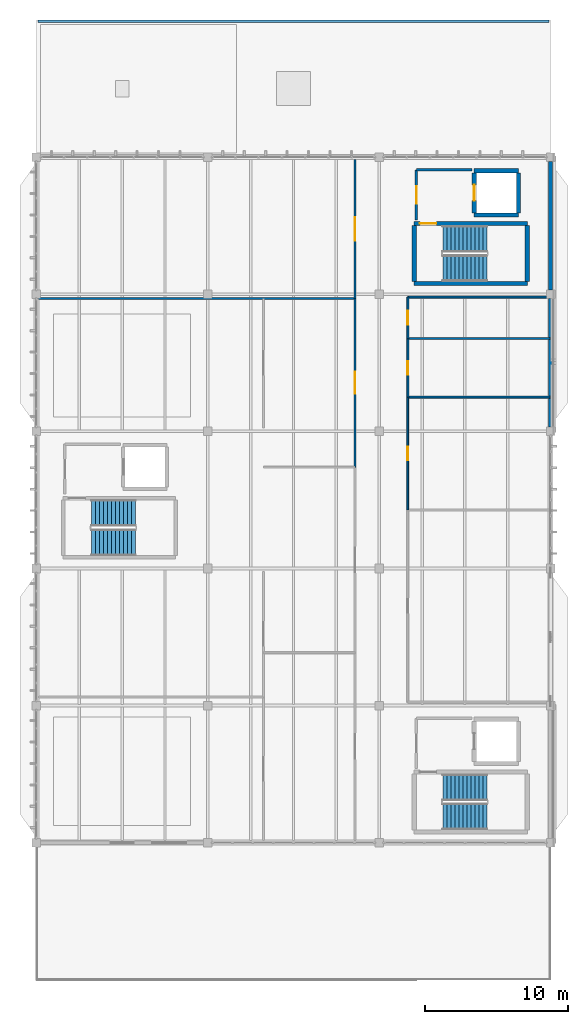
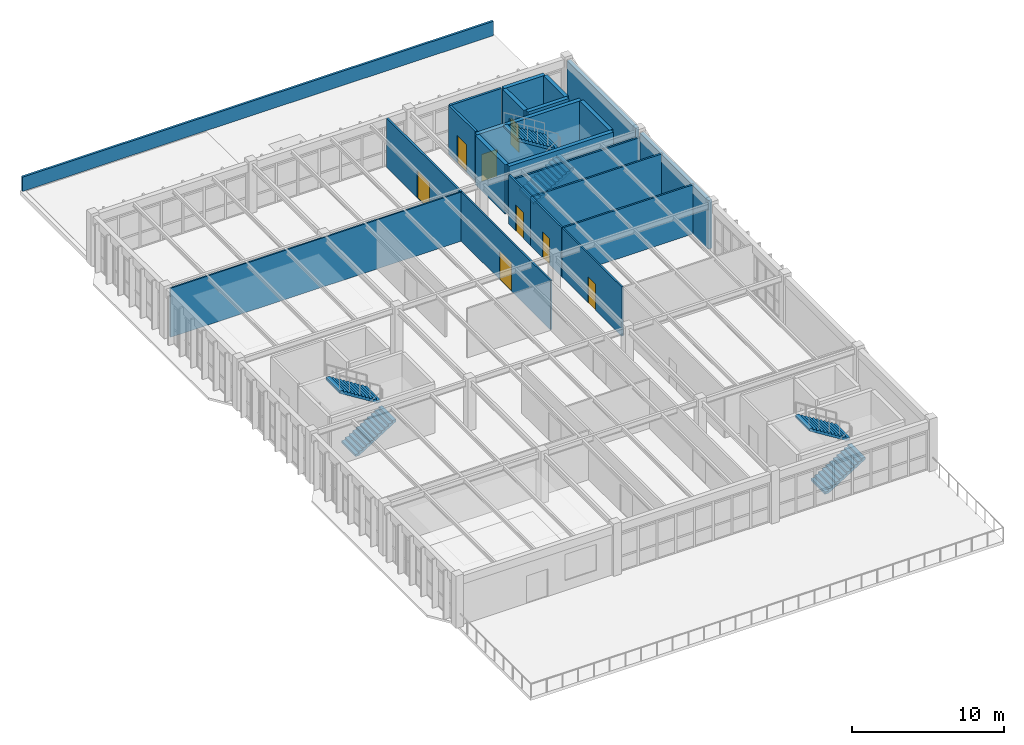
# One storey, part 33 of 37: 22 walls, 8 doors, 6 stair flights, 8 openings, 3 elements without a shape of their own.
"""IFC4 building model written with IfcOpenShell, lengths in metres."""

from ifc_helpers import new_model, si_unit, direction, frame, frame_2d, origin, place, context, subcontext, project, spatial, polyline, rectangle, outline, extrude, material, layer, layer_set, type_object, element, fill, aggregate, save


model = new_model("IFC4")

# Units and contexts
model_context = context("Model", 3, precision=1e-05, world=origin(), true_north=direction((0.0, 1.0)))
body_context = subcontext(model_context, "Body", "Model", "MODEL_VIEW")
ifc_project = project(units=[si_unit("LENGTHUNIT", "METRE"), si_unit("AREAUNIT", "SQUARE_METRE"), si_unit("VOLUMEUNIT", "CUBIC_METRE"), si_unit("PLANEANGLEUNIT", "RADIAN"), si_unit("MASSUNIT", "GRAM", prefix="KILO")], contexts=[model_context])

# Site, building, storey
site_placement = place(None, origin())
site = spatial("IfcSite", under=ifc_project, at=site_placement, CompositionType="ELEMENT")
building_placement = place(site_placement, origin())
building = spatial("IfcBuilding", under=site, at=building_placement, Name="Pandanus Reach Market Hall", CompositionType="ELEMENT")
storey_placement = place(building_placement, frame((0.0, 0.0, 14.39990234375)))
storey = spatial("IfcBuildingStorey", under=building, at=storey_placement, Name="L03", CompositionType="ELEMENT", Elevation=14.39990234375)

# Wall
ifc_material_1 = material(Name="Concrete N40 (40 MPa)", Category="concrete")
ifc_layer_1 = layer(ifc_material_1, 0.300048828125, Name="WL-CORE-300")
ifc_layer_set_1 = layer_set([ifc_layer_1], Name="Concrete N40 (40 MPa)")
wall_type_1 = type_object("IfcWallType", Name="WL-CORE-300", PredefinedType="SHEAR", material=ifc_layer_set_1)
wall_1_placement = place(storey_placement, frame((170.449951171875, 67.949951171875, 0.0), z_axis=(0.0, 0.0, 1.0), x_axis=(1.0, 0.0, 0.0)))
element("IfcWall", 1, at=wall_1_placement, inside=storey, type_object=wall_type_1, Name="Internal wall WL-CORE-300 WL-0250", PredefinedType="SHEAR", context=body_context, shape_type="SweptSolid", body=[
    extrude(rectangle(XDim=7.920166015625, YDim=0.300048828125, at=frame_2d((3.9599609375, 0.0))), origin(), (0.0, 0.0, 1.0), 3.9501953125),
])

# Wall, opening, door
wall_2_placement = place(storey_placement, frame((170.449951171875, 72.14990234375, 0.0), z_axis=(0.0, 0.0, 1.0), x_axis=(1.0, 0.0, 0.0)))
wall_2 = element("IfcWall", 2, at=wall_2_placement, inside=storey, type_object=wall_type_1, Name="Internal wall WL-CORE-300 WL-0251", PredefinedType="SHEAR", context=body_context, shape_type="SweptSolid", body=[
    extrude(rectangle(XDim=7.920166015625, YDim=0.300048828125, at=frame_2d((3.9599609375, 0.0))), origin(), (0.0, 0.0, 1.0), 3.9501953125),
])
opening_1_placement = place(wall_2_placement, frame((0.39990234375, 0.0, 0.0)))
opening_1 = element("IfcOpeningElement", 3, at=opening_1_placement, cuts=wall_2, Name="Opening DR-FD1", PredefinedType="OPENING", context=body_context, shape_type="SweptSolid", body=[
    extrude(rectangle(XDim=1.14990234375, YDim=2.14990234375, at=frame_2d((0.574951171875, 1.074951171875))), frame((0.0, 0.1650390625, 0.0), z_axis=(0.0, -1.0, 0.0), x_axis=(1.0, 0.0, 0.0)), (0.0, 0.0, 1.0), 0.330078125),
])
ifc_material_2 = material(Name="Fire-rated steel door", Category="steel")
door_type_1 = type_object("IfcDoorType", Name="DR-FD1", OperationType="NOTDEFINED", PredefinedType="DOOR", material=ifc_material_2)
door_1_placement = place(opening_1_placement, frame((1.14990234375, 0.0, 0.0), z_axis=(0.0, 0.0, 1.0), x_axis=(-1.0, 0.0, 0.0)))
door_1 = element("IfcDoor", 4, at=door_1_placement, inside=storey, type_object=door_type_1, Name="Fire stair door ST-02 L03", OperationType="SINGLE_SWING_RIGHT", OverallHeight=2.14990234375, OverallWidth=1.14990234375, PredefinedType="DOOR", context=body_context, shape_type="SweptSolid", body=[
    extrude(rectangle(XDim=1.14990234375, YDim=2.14990234375, at=frame_2d((0.574951171875, 1.074951171875))), frame((0.0, 0.02490234375, 0.0), z_axis=(0.0, -1.0, 0.0), x_axis=(1.0, 0.0, 0.0)), (0.0, 0.0, 1.0), 0.050048828125),
])
fill(opening_1, door_1)

# Walls
for number, where, z_axis, x_axis, name in (
    (5, (170.449951171875, 68.10009765625, 0.0), (0.0, 0.0, 1.0), (0.0, 1.0, 0.0), "Internal wall WL-CORE-300 WL-0252"),
    (6, (178.3701171875, 68.10009765625, 0.0), (0.0, 0.0, 1.0), (0.0, 1.0, 0.0), "Internal wall WL-CORE-300 WL-0253"),
):
    element("IfcWall", number, at=place(storey_placement, frame(where, z_axis=z_axis, x_axis=x_axis)), inside=storey, type_object=wall_type_1, Name=name, PredefinedType="SHEAR", context=body_context, shape_type="SweptSolid", body=[
        extrude(rectangle(XDim=3.89990234375, YDim=0.300048828125, at=frame_2d((1.949951171875, 0.0))), origin(), (0.0, 0.0, 1.0), 3.9501953125),
    ])
for number, where, z_axis, x_axis, name in (
    (7, (174.64990234375, 72.75, 0.0), (0.0, 0.0, 1.0), (1.0, 0.0, 0.0), "Internal wall WL-CORE-300 WL-0254"),
    (8, (174.64990234375, 75.85009765625, 0.0), (0.0, 0.0, 1.0), (1.0, 0.0, 0.0), "Internal wall WL-CORE-300 WL-0255"),
):
    element("IfcWall", number, at=place(storey_placement, frame(where, z_axis=z_axis, x_axis=x_axis)), inside=storey, type_object=wall_type_1, Name=name, PredefinedType="SHEAR", context=body_context, shape_type="SweptSolid", body=[
        extrude(rectangle(XDim=3.10009765625, YDim=0.300048828125, at=frame_2d((1.550048828125, 0.0))), origin(), (0.0, 0.0, 1.0), 3.9501953125),
    ])
wall_3_placement = place(storey_placement, frame((177.75, 72.89990234375, 0.0), z_axis=(0.0, 0.0, 1.0), x_axis=(0.0, 1.0, 0.0)))
element("IfcWall", 9, at=wall_3_placement, inside=storey, type_object=wall_type_1, Name="Internal wall WL-CORE-300 WL-0256", PredefinedType="SHEAR", context=body_context, shape_type="SweptSolid", body=[
    extrude(rectangle(XDim=2.800048828125, YDim=0.300048828125, at=frame_2d((1.39990234375, 0.0))), origin(), (0.0, 0.0, 1.0), 3.9501953125),
])

# Wall, opening, door
wall_4_placement = place(storey_placement, frame((174.64990234375, 72.89990234375, 0.0), z_axis=(0.0, 0.0, 1.0), x_axis=(0.0, 1.0, 0.0)))
wall_4 = element("IfcWall", 10, at=wall_4_placement, inside=storey, type_object=wall_type_1, Name="Internal wall WL-CORE-300 WL-0257", PredefinedType="SHEAR", context=body_context, shape_type="SweptSolid", body=[
    extrude(rectangle(XDim=2.800048828125, YDim=0.300048828125, at=frame_2d((1.39990234375, 0.0))), origin(), (0.0, 0.0, 1.0), 3.9501953125),
])
opening_2_placement = place(wall_4_placement, frame((0.85009765625, 0.0, 0.0)))
opening_2 = element("IfcOpeningElement", 11, at=opening_2_placement, cuts=wall_4, Name="Opening LD-01", PredefinedType="OPENING", context=body_context, shape_type="SweptSolid", body=[
    extrude(rectangle(XDim=1.10009765625, YDim=2.14990234375, at=frame_2d((0.550048828125, 1.074951171875))), frame((0.0, 0.1650390625, 0.0), z_axis=(0.0, -1.0, 0.0), x_axis=(1.0, 0.0, 0.0)), (0.0, 0.0, 1.0), 0.330078125),
])
ifc_material_3 = material(Name="Stainless steel lift landing door", Category="steel")
door_type_2 = type_object("IfcDoorType", Name="LD-01", OperationType="SLIDING_TO_LEFT", PredefinedType="DOOR", material=ifc_material_3)
door_2_placement = place(opening_2_placement, origin())
door_2 = element("IfcDoor", 12, at=door_2_placement, inside=storey, type_object=door_type_2, Name="Lift landing door LF-02 LD-01 33", OperationType="SLIDING_TO_LEFT", OverallHeight=2.14990234375, OverallWidth=1.10009765625, PredefinedType="DOOR", context=body_context, shape_type="SweptSolid", body=[
    extrude(rectangle(XDim=1.10009765625, YDim=2.14990234375, at=frame_2d((0.550048828125, 1.074951171875))), frame((0.0, 0.02490234375, 0.0), z_axis=(0.0, -1.0, 0.0), x_axis=(1.0, 0.0, 0.0)), (0.0, 0.0, 1.0), 0.050048828125),
])
fill(opening_2, door_2)

# Walls
ifc_material_4 = material(Name="Precast concrete S50 (50 MPa)", Category="concrete")
ifc_layer_2 = layer(ifc_material_4, 0.280029296875, Name="WL-EXT-280")
ifc_layer_set_2 = layer_set([ifc_layer_2], Name="Precast concrete S50 (50 MPa)")
wall_type_2 = type_object("IfcWallType", Name="WL-EXT-280", PredefinedType="SOLIDWALL", material=ifc_layer_set_2)
for number, where, z_axis, x_axis, name in (
    (13, (180.0, 57.89990234375, 0.0), (0.0, 0.0, 1.0), (0.0, 1.0, 0.0), "External wall WL-EXT-280 WL-0107"),
    (14, (180.0, 67.5, 0.0), (0.0, 0.0, 1.0), (0.0, 1.0, 0.0), "External wall WL-EXT-280 WL-0108"),
):
    element("IfcWall", number, at=place(storey_placement, frame(where, z_axis=z_axis, x_axis=x_axis)), inside=storey, type_object=wall_type_2, Name=name, PredefinedType="SOLIDWALL", context=body_context, shape_type="SweptSolid", body=[
        extrude(rectangle(XDim=9.0, YDim=0.280029296875, at=frame_2d((4.5, 0.0))), origin(), (0.0, 0.0, 1.0), 3.900146484375),
    ])

# Wall, opening, door
ifc_layer_3 = layer(ifc_material_1, 0.175048828125, Name="WL-LOB-175")
ifc_layer_set_3 = layer_set([ifc_layer_3], Name="Concrete N40 (40 MPa)")
wall_type_3 = type_object("IfcWallType", Name="WL-LOB-175", PredefinedType="PARTITIONING", material=ifc_layer_set_3)
wall_5_placement = place(storey_placement, frame((170.60009765625, 72.39990234375, 0.0), z_axis=(0.0, 0.0, 1.0), x_axis=(0.0, 1.0, 0.0)))
wall_5 = element("IfcWall", 15, at=wall_5_placement, inside=storey, type_object=wall_type_3, Name="Internal wall WL-LOB-175 WL-0258", PredefinedType="PARTITIONING", context=body_context, shape_type="SweptSolid", body=[
    extrude(rectangle(XDim=3.5, YDim=0.175048828125, at=frame_2d((1.75, 0.0))), origin(), (0.0, 0.0, 1.0), 3.9501953125),
])
opening_3_placement = place(wall_5_placement, frame((1.125, 0.0, 0.0)))
opening_3 = element("IfcOpeningElement", 16, at=opening_3_placement, cuts=wall_5, Name="Opening DR-FD2", PredefinedType="OPENING", context=body_context, shape_type="SweptSolid", body=[
    extrude(rectangle(XDim=1.25, YDim=2.199951171875, at=frame_2d((0.625, 1.10009765625))), frame((0.0, 0.1025390625, 0.0), z_axis=(0.0, -1.0, 0.0), x_axis=(1.0, 0.0, 0.0)), (0.0, 0.0, 1.0), 0.205078125),
])
door_type_3 = type_object("IfcDoorType", Name="DR-FD2", OperationType="NOTDEFINED", PredefinedType="DOOR", material=ifc_material_2)
door_3_placement = place(opening_3_placement, frame((1.25, 0.0, 0.0), z_axis=(0.0, 0.0, 1.0), x_axis=(-1.0, 0.0, 0.0)))
door_3 = element("IfcDoor", 17, at=door_3_placement, inside=storey, type_object=door_type_3, Name="Core C2 lobby fire door DR-FD2 34", OperationType="SINGLE_SWING_LEFT", OverallHeight=2.199951171875, OverallWidth=1.25, PredefinedType="DOOR", context=body_context, shape_type="SweptSolid", body=[
    extrude(rectangle(XDim=1.25, YDim=2.199951171875, at=frame_2d((0.625, 1.10009765625))), frame((0.0, 0.02490234375, 0.0), z_axis=(0.0, -1.0, 0.0), x_axis=(1.0, 0.0, 0.0)), (0.0, 0.0, 1.0), 0.050048828125),
])
fill(opening_3, door_3)

# Walls
wall_6_placement = place(storey_placement, frame((170.60009765625, 75.89990234375, 0.0), z_axis=(0.0, 0.0, 1.0), x_axis=(1.0, 0.0, 0.0)))
element("IfcWall", 18, at=wall_6_placement, inside=storey, type_object=wall_type_3, Name="Internal wall WL-LOB-175 WL-0259", PredefinedType="PARTITIONING", context=body_context, shape_type="SweptSolid", body=[
    extrude(rectangle(XDim=3.89990234375, YDim=0.175048828125, at=frame_2d((1.949951171875, 0.0))), origin(), (0.0, 0.0, 1.0), 3.9501953125),
])
ifc_material_5 = material(Name="Acoustic operable timber-clad partition", Category="wood")
ifc_layer_4 = layer(ifc_material_5, 0.110107421875, Name="WL-MOV-110")
ifc_layer_set_4 = layer_set([ifc_layer_4], Name="Acoustic operable timber-clad partition")
wall_type_4 = type_object("IfcWallType", Name="WL-MOV-110", PredefinedType="MOVABLE", material=ifc_layer_set_4)
wall_7_placement = place(storey_placement, frame((144.14990234375, 66.89990234375, 0.0), z_axis=(0.0, 0.0, 1.0), x_axis=(1.0, 0.0, 0.0)))
element("IfcWall", 19, at=wall_7_placement, inside=storey, type_object=wall_type_4, Name="Internal wall WL-MOV-110 WL-0565", PredefinedType="MOVABLE", context=body_context, shape_type="SweptSolid", body=[
    extrude(rectangle(XDim=22.150146484375, YDim=0.110107421875, at=frame_2d((11.0751953125, 0.0))), origin(), (0.0, 0.0, 1.0), 3.9501953125),
])
ifc_layer_5 = layer(ifc_material_4, 0.1650390625, Name="WL-PAR-165")
ifc_layer_set_5 = layer_set([ifc_layer_5], Name="Precast concrete S50 (50 MPa)")
wall_type_5 = type_object("IfcWallType", Name="WL-PAR-165", PredefinedType="PARAPET", material=ifc_layer_set_5)
wall_8_placement = place(storey_placement, frame((144.10009765625, 86.300048828125, 0.0), z_axis=(0.0, 0.0, 1.0), x_axis=(1.0, 0.0, 0.0)))
element("IfcWall", 20, at=wall_8_placement, inside=storey, type_object=wall_type_5, Name="Roof parapet WL-PAR-165 L03.8", PredefinedType="PARAPET", context=body_context, shape_type="SweptSolid", body=[
    extrude(rectangle(XDim=35.7998046875, YDim=0.1650390625, at=frame_2d((17.89990234375, 0.0))), origin(), (0.0, 0.0, 1.0), 1.150146484375),
])

# Wall, opening, door
ifc_material_6 = material(Name="Lightweight plasterboard stud partition", Category="gypsum")
ifc_layer_6 = layer(ifc_material_6, 0.1201171875, Name="WL-PRT-120")
ifc_layer_set_6 = layer_set([ifc_layer_6], Name="Lightweight plasterboard stud partition")
wall_type_6 = type_object("IfcWallType", Name="WL-PRT-120", PredefinedType="PARTITIONING", material=ifc_layer_set_6)
wall_9_placement = place(storey_placement, frame((166.300048828125, 55.10009765625, 0.0), z_axis=(0.0, 0.0, 1.0), x_axis=(0.0, 1.0, 0.0)))
wall_9 = element("IfcWall", 21, at=wall_9_placement, inside=storey, type_object=wall_type_6, Name="Internal wall WL-PRT-120 WL-0571", PredefinedType="PARTITIONING", context=body_context, shape_type="SweptSolid", body=[
    extrude(rectangle(XDim=11.7998046875, YDim=0.1201171875, at=frame_2d((5.89990234375, 0.0))), origin(), (0.0, 0.0, 1.0), 3.9501953125),
])
opening_4_placement = place(wall_9_placement, frame((5.139892578125, 0.0, 0.0)))
opening_4 = element("IfcOpeningElement", 22, at=opening_4_placement, cuts=wall_9, Name="Opening DR-I15", PredefinedType="OPENING", context=body_context, shape_type="SweptSolid", body=[
    extrude(rectangle(XDim=1.52001953125, YDim=2.280029296875, at=frame_2d((0.760009765625, 1.14013671875))), frame((0.0, 0.074951171875, 0.0), z_axis=(0.0, -1.0, 0.0), x_axis=(1.0, 0.0, 0.0)), (0.0, 0.0, 1.0), 0.150146484375),
])
ifc_material_7 = material(Name="Culinary and seed library glazed door")
door_type_4 = type_object("IfcDoorType", Name="DR-I15", OperationType="NOTDEFINED", PredefinedType="DOOR", material=ifc_material_7)
door_4_placement = place(opening_4_placement, origin())
door_4 = element("IfcDoor", 23, at=door_4_placement, inside=storey, type_object=door_type_4, Name="Food heritage library door DR-I15 168", OperationType="SINGLE_SWING_LEFT", OverallHeight=2.280029296875, OverallWidth=1.52001953125, PredefinedType="DOOR", context=body_context, shape_type="SweptSolid", body=[
    extrude(rectangle(XDim=1.52001953125, YDim=2.280029296875, at=frame_2d((0.760009765625, 1.14013671875))), frame((0.0, 0.02490234375, 0.0), z_axis=(0.0, -1.0, 0.0), x_axis=(1.0, 0.0, 0.0)), (0.0, 0.0, 1.0), 0.050048828125),
])
fill(opening_4, door_4)

wall_10_placement = place(storey_placement, frame((170.0, 52.10009765625, 0.0), z_axis=(0.0, 0.0, 1.0), x_axis=(0.0, 1.0, 0.0)))
wall_10 = element("IfcWall", 24, at=wall_10_placement, inside=storey, type_object=wall_type_6, Name="Internal wall WL-PRT-120 WL-0575", PredefinedType="PARTITIONING", context=body_context, shape_type="SweptSolid", body=[
    extrude(rectangle(XDim=7.89990234375, YDim=0.1201171875, at=frame_2d((3.949951171875, 0.0))), origin(), (0.0, 0.0, 1.0), 3.9501953125),
])
opening_5_placement = place(wall_10_placement, frame((3.47509765625, 0.0, 0.0)))
opening_5 = element("IfcOpeningElement", 25, at=opening_5_placement, cuts=wall_10, Name="Opening DR-I09", PredefinedType="OPENING", context=body_context, shape_type="SweptSolid", body=[
    extrude(rectangle(XDim=0.949951171875, YDim=2.10009765625, at=frame_2d((0.47509765625, 1.050048828125))), frame((0.0, 0.074951171875, 0.0), z_axis=(0.0, -1.0, 0.0), x_axis=(1.0, 0.0, 0.0)), (0.0, 0.0, 1.0), 0.150146484375),
])
ifc_material_8 = material(Name="Solid-core hardwood timber door", Category="wood")
door_type_5 = type_object("IfcDoorType", Name="DR-I09", OperationType="NOTDEFINED", PredefinedType="DOOR", material=ifc_material_8)
door_5_placement = place(opening_5_placement, origin())
door_5 = element("IfcDoor", 26, at=door_5_placement, inside=storey, type_object=door_type_5, Name="Food safety office door DR-I09 170", OperationType="SINGLE_SWING_LEFT", OverallHeight=2.10009765625, OverallWidth=0.949951171875, PredefinedType="DOOR", context=body_context, shape_type="SweptSolid", body=[
    extrude(rectangle(XDim=0.949951171875, YDim=2.10009765625, at=frame_2d((0.47509765625, 1.050048828125))), frame((0.0, 0.02490234375, 0.0), z_axis=(0.0, -1.0, 0.0), x_axis=(1.0, 0.0, 0.0)), (0.0, 0.0, 1.0), 0.050048828125),
])
fill(opening_5, door_5)

# Walls
ifc_material_9 = material(Name="Moisture-resistant plasterboard partition", Category="gypsum")
ifc_layer_7 = layer(ifc_material_9, 0.135009765625, Name="WL-PRT-135")
ifc_layer_set_7 = layer_set([ifc_layer_7], Name="Moisture-resistant plasterboard partition")
wall_type_7 = type_object("IfcWallType", Name="WL-PRT-135", PredefinedType="PARTITIONING", material=ifc_layer_set_7)
for number, where, z_axis, x_axis, name in (
    (27, (170.0, 60.0, 0.0), (0.0, 0.0, 1.0), (1.0, 0.0, 0.0), "Internal wall WL-PRT-135 WL-0576"),
    (28, (170.0, 64.10009765625, 0.0), (0.0, 0.0, 1.0), (1.0, 0.0, 0.0), "Internal wall WL-PRT-135 WL-0577"),
):
    element("IfcWall", number, at=place(storey_placement, frame(where, z_axis=z_axis, x_axis=x_axis)), inside=storey, type_object=wall_type_7, Name=name, PredefinedType="PARTITIONING", context=body_context, shape_type="SweptSolid", body=[
        extrude(rectangle(XDim=9.9599609375, YDim=0.135009765625, at=frame_2d((4.97998046875, 0.0))), origin(), (0.0, 0.0, 1.0), 3.9501953125),
    ])
wall_11_placement = place(storey_placement, frame((170.0, 67.0, 0.0), z_axis=(0.0, 0.0, 1.0), x_axis=(1.0, 0.0, 0.0)))
element("IfcWall", 29, at=wall_11_placement, inside=storey, type_object=wall_type_7, Name="Internal wall WL-PRT-135 WL-0578", PredefinedType="PARTITIONING", context=body_context, shape_type="SweptSolid", body=[
    extrude(rectangle(XDim=9.9599609375, YDim=0.135009765625, at=frame_2d((4.97998046875, 0.0))), origin(), (0.0, 0.0, 1.0), 3.497802734375),
])

# Wall, opening, door
wall_12_placement = place(storey_placement, frame((170.0, 60.0, 0.0), z_axis=(0.0, 0.0, 1.0), x_axis=(0.0, 1.0, 0.0)))
wall_12 = element("IfcWall", 30, at=wall_12_placement, inside=storey, type_object=wall_type_7, Name="Internal wall WL-PRT-135 WL-0579", PredefinedType="PARTITIONING", context=body_context, shape_type="SweptSolid", body=[
    extrude(rectangle(XDim=4.10009765625, YDim=0.135009765625, at=frame_2d((2.050048828125, 0.0))), origin(), (0.0, 0.0, 1.0), 3.9501953125),
])
opening_6_placement = place(wall_12_placement, frame((1.574951171875, 0.0, 0.0)))
opening_6 = element("IfcOpeningElement", 31, at=opening_6_placement, cuts=wall_12, Name="Opening DR-I09", PredefinedType="OPENING", context=body_context, shape_type="SweptSolid", body=[
    extrude(rectangle(XDim=0.949951171875, YDim=2.10009765625, at=frame_2d((0.47509765625, 1.050048828125))), frame((0.0, 0.08251953125, 0.0), z_axis=(0.0, -1.0, 0.0), x_axis=(1.0, 0.0, 0.0)), (0.0, 0.0, 1.0), 0.1650390625),
])
door_6_placement = place(opening_6_placement, origin())
door_6 = element("IfcDoor", 32, at=door_6_placement, inside=storey, type_object=door_type_5, Name="L03 WC door DR-I09 171", OperationType="SINGLE_SWING_RIGHT", OverallHeight=2.10009765625, OverallWidth=0.949951171875, PredefinedType="DOOR", context=body_context, shape_type="SweptSolid", body=[
    extrude(rectangle(XDim=0.949951171875, YDim=2.10009765625, at=frame_2d((0.47509765625, 1.050048828125))), frame((0.0, 0.02490234375, 0.0), z_axis=(0.0, -1.0, 0.0), x_axis=(1.0, 0.0, 0.0)), (0.0, 0.0, 1.0), 0.050048828125),
])
fill(opening_6, door_6)

wall_13_placement = place(storey_placement, frame((170.0, 64.10009765625, 0.0), z_axis=(0.0, 0.0, 1.0), x_axis=(0.0, 1.0, 0.0)))
wall_13 = element("IfcWall", 33, at=wall_13_placement, inside=storey, type_object=wall_type_7, Name="Internal wall WL-PRT-135 WL-0580", PredefinedType="PARTITIONING", context=body_context, shape_type="SweptSolid", body=[
    extrude(rectangle(XDim=2.89990234375, YDim=0.135009765625, at=frame_2d((1.449951171875, 0.0))), origin(), (0.0, 0.0, 1.0), 3.9501953125),
])
opening_7_placement = place(wall_13_placement, frame((0.949951171875, 0.0, 0.0)))
opening_7 = element("IfcOpeningElement", 34, at=opening_7_placement, cuts=wall_13, Name="Opening DR-I10", PredefinedType="OPENING", context=body_context, shape_type="SweptSolid", body=[
    extrude(rectangle(XDim=1.0, YDim=2.10009765625, at=frame_2d((0.5, 1.050048828125))), frame((0.0, 0.08251953125, 0.0), z_axis=(0.0, -1.0, 0.0), x_axis=(1.0, 0.0, 0.0)), (0.0, 0.0, 1.0), 0.1650390625),
])
ifc_material_10 = material(Name="Accessible unisex WC timber door", Category="wood")
door_type_6 = type_object("IfcDoorType", Name="DR-I10", OperationType="NOTDEFINED", PredefinedType="DOOR", material=ifc_material_10)
door_7_placement = place(opening_7_placement, origin())
door_7 = element("IfcDoor", 35, at=door_7_placement, inside=storey, type_object=door_type_6, Name="L03 accessible WC door DR-I10 172", OperationType="SINGLE_SWING_LEFT", OverallHeight=2.10009765625, OverallWidth=1.0, PredefinedType="DOOR", context=body_context, shape_type="SweptSolid", body=[
    extrude(rectangle(XDim=1.0, YDim=2.10009765625, at=frame_2d((0.5, 1.050048828125))), frame((0.0, 0.02490234375, 0.0), z_axis=(0.0, -1.0, 0.0), x_axis=(1.0, 0.0, 0.0)), (0.0, 0.0, 1.0), 0.050048828125),
])
fill(opening_7, door_7)

ifc_material_11 = material(Name="Acoustic plasterboard on steel framing", Category="steel")
ifc_layer_8 = layer(ifc_material_11, 0.14990234375, Name="WL-PRT-150")
ifc_layer_set_8 = layer_set([ifc_layer_8], Name="Acoustic plasterboard on steel framing")
wall_type_8 = type_object("IfcWallType", Name="WL-PRT-150", PredefinedType="PARTITIONING", material=ifc_layer_set_8)
wall_14_placement = place(storey_placement, frame((166.300048828125, 66.89990234375, 0.0), z_axis=(0.0, 0.0, 1.0), x_axis=(0.0, 1.0, 0.0)))
wall_14 = element("IfcWall", 36, at=wall_14_placement, inside=storey, type_object=wall_type_8, Name="Internal wall WL-PRT-150 WL-0566", PredefinedType="PARTITIONING", context=body_context, shape_type="SweptSolid", body=[
    extrude(rectangle(XDim=9.75, YDim=0.14990234375, at=frame_2d((4.875, 0.0))), origin(), (0.0, 0.0, 1.0), 3.9501953125),
])
opening_8_placement = place(wall_14_placement, frame((4.050048828125, 0.0, 0.0)))
opening_8 = element("IfcOpeningElement", 37, at=opening_8_placement, cuts=wall_14, Name="Opening DR-I16", PredefinedType="OPENING", context=body_context, shape_type="SweptSolid", body=[
    extrude(rectangle(XDim=1.64990234375, YDim=2.199951171875, at=frame_2d((0.824951171875, 1.10009765625))), frame((0.0, 0.08984375, 0.0), z_axis=(0.0, -1.0, 0.0), x_axis=(1.0, 0.0, 0.0)), (0.0, 0.0, 1.0), 0.179931640625),
])
ifc_material_12 = material(Name="Double glazed culinary studio door")
door_type_7 = type_object("IfcDoorType", Name="DR-I16", OperationType="DOUBLE_DOOR_SINGLE_SWING", PredefinedType="DOOR", material=ifc_material_12)
door_8_placement = place(opening_8_placement, origin())
door_8 = element("IfcDoor", 38, at=door_8_placement, inside=storey, type_object=door_type_7, Name="Teaching kitchen 4 door DR-I16 165", OperationType="DOUBLE_DOOR_SINGLE_SWING", OverallHeight=2.199951171875, OverallWidth=1.64990234375, PredefinedType="DOOR", context=body_context, shape_type="SweptSolid", body=[
    extrude(rectangle(XDim=1.64990234375, YDim=2.199951171875, at=frame_2d((0.824951171875, 1.10009765625))), frame((0.0, 0.02490234375, 0.0), z_axis=(0.0, -1.0, 0.0), x_axis=(1.0, 0.0, 0.0)), (0.0, 0.0, 1.0), 0.050048828125),
])
fill(opening_8, door_8)

# Stair, stair flights
stair_type = type_object("IfcStairType", Name="STR-04", PredefinedType="HALF_TURN_STAIR", material=ifc_material_1)
stair_1_placement = place(storey_placement, origin())
stair_1 = element("IfcStair", 39, at=stair_1_placement, inside=storey, type_object=stair_type, Name="Stair ST-01 L03", PredefinedType="HALF_TURN_STAIR")
stair_flight_type = type_object("IfcStairFlightType", Name="STF-04", PredefinedType="STRAIGHT", material=ifc_material_1)
stair_flight_1_placement = place(storey_placement, frame((172.449951171875, 30.625, 0.0), z_axis=(0.0, 0.0, 1.0), x_axis=(1.0, 0.0, 0.0)))
stair_flight_1 = element("IfcStairFlight", 40, at=stair_flight_1_placement, type_object=stair_flight_type, Name="STR-04 flight 1", NumberOfRisers=12, NumberOfTreads=11, PredefinedType="STRAIGHT", RiserHeight=0.175, TreadLength=0.28, context=body_context, shape_type="SweptSolid", body=[
    extrude(outline(polyline([(0.0, 0.0), (0.0, 0.175048828125), (0.280029296875, 0.175048828125), (0.280029296875, 0.35009765625), (0.56005859375, 0.35009765625), (0.56005859375, 0.52490234375), (0.840087890625, 0.52490234375), (0.840087890625, 0.699951171875), (1.1201171875, 0.699951171875), (1.1201171875, 0.875), (1.39990234375, 0.875), (1.39990234375, 1.050048828125), (1.679931640625, 1.050048828125), (1.679931640625, 1.22509765625), (1.9599609375, 1.22509765625), (1.9599609375, 1.39990234375), (2.239990234375, 1.39990234375), (2.239990234375, 1.574951171875), (2.52001953125, 1.574951171875), (2.52001953125, 1.75), (2.800048828125, 1.75), (2.800048828125, 1.925048828125), (3.080078125, 1.925048828125), (3.080078125, 2.10009765625), (3.080078125, 1.748291015625), (0.28271484375, 0.0), (0.0, 0.0)])), frame((0.0, 0.925048828125, 0.0), z_axis=(0.0, -1.0, 0.0), x_axis=(1.0, 0.0, 0.0)), (0.0, 0.0, 1.0), 1.85009765625),
])
stair_flight_2_placement = place(storey_placement, frame((175.530029296875, 32.675048828125, 2.10009765625), z_axis=(0.0, 0.0, 1.0), x_axis=(-1.0, 0.0, 0.0)))
stair_flight_2 = element("IfcStairFlight", 41, at=stair_flight_2_placement, type_object=stair_flight_type, Name="STR-04 flight 2", NumberOfRisers=12, NumberOfTreads=11, PredefinedType="STRAIGHT", RiserHeight=0.175, TreadLength=0.28, context=body_context, shape_type="SweptSolid", body=[
    extrude(outline(polyline([(0.0, 0.0), (0.0, 0.175048828125), (0.280029296875, 0.175048828125), (0.280029296875, 0.35009765625), (0.56005859375, 0.35009765625), (0.56005859375, 0.52490234375), (0.840087890625, 0.52490234375), (0.840087890625, 0.699951171875), (1.1201171875, 0.699951171875), (1.1201171875, 0.875), (1.39990234375, 0.875), (1.39990234375, 1.050048828125), (1.679931640625, 1.050048828125), (1.679931640625, 1.22509765625), (1.9599609375, 1.22509765625), (1.9599609375, 1.39990234375), (2.239990234375, 1.39990234375), (2.239990234375, 1.574951171875), (2.52001953125, 1.574951171875), (2.52001953125, 1.75), (2.800048828125, 1.75), (2.800048828125, 1.925048828125), (3.080078125, 1.925048828125), (3.080078125, 2.10009765625), (3.080078125, 1.748291015625), (0.28271484375, 0.0), (0.0, 0.0)])), frame((0.0, 0.925048828125, 0.0), z_axis=(0.0, -1.0, 0.0), x_axis=(1.0, 0.0, 0.0)), (0.0, 0.0, 1.0), 1.85009765625),
])
aggregate(stair_1, [stair_flight_1, stair_flight_2])

stair_2_placement = place(storey_placement, origin())
stair_2 = element("IfcStair", 42, at=stair_2_placement, inside=storey, type_object=stair_type, Name="Stair ST-02 L03", PredefinedType="HALF_TURN_STAIR")
stair_flight_3_placement = place(storey_placement, frame((172.449951171875, 69.02490234375, 0.0), z_axis=(0.0, 0.0, 1.0), x_axis=(1.0, 0.0, 0.0)))
stair_flight_3 = element("IfcStairFlight", 43, at=stair_flight_3_placement, type_object=stair_flight_type, Name="STR-04 flight 1", NumberOfRisers=12, NumberOfTreads=11, PredefinedType="STRAIGHT", RiserHeight=0.175, TreadLength=0.28, context=body_context, shape_type="SweptSolid", body=[
    extrude(outline(polyline([(0.0, 0.0), (0.0, 0.175048828125), (0.280029296875, 0.175048828125), (0.280029296875, 0.35009765625), (0.56005859375, 0.35009765625), (0.56005859375, 0.52490234375), (0.840087890625, 0.52490234375), (0.840087890625, 0.699951171875), (1.1201171875, 0.699951171875), (1.1201171875, 0.875), (1.39990234375, 0.875), (1.39990234375, 1.050048828125), (1.679931640625, 1.050048828125), (1.679931640625, 1.22509765625), (1.9599609375, 1.22509765625), (1.9599609375, 1.39990234375), (2.239990234375, 1.39990234375), (2.239990234375, 1.574951171875), (2.52001953125, 1.574951171875), (2.52001953125, 1.75), (2.800048828125, 1.75), (2.800048828125, 1.925048828125), (3.080078125, 1.925048828125), (3.080078125, 2.10009765625), (3.080078125, 1.748291015625), (0.28271484375, 0.0), (0.0, 0.0)])), frame((0.0, 0.925048828125, 0.0), z_axis=(0.0, -1.0, 0.0), x_axis=(1.0, 0.0, 0.0)), (0.0, 0.0, 1.0), 1.85009765625),
])
stair_flight_4_placement = place(storey_placement, frame((175.530029296875, 71.074951171875, 2.10009765625), z_axis=(0.0, 0.0, 1.0), x_axis=(-1.0, 0.0, 0.0)))
stair_flight_4 = element("IfcStairFlight", 44, at=stair_flight_4_placement, type_object=stair_flight_type, Name="STR-04 flight 2", NumberOfRisers=12, NumberOfTreads=11, PredefinedType="STRAIGHT", RiserHeight=0.175, TreadLength=0.28, context=body_context, shape_type="SweptSolid", body=[
    extrude(outline(polyline([(0.0, 0.0), (0.0, 0.175048828125), (0.280029296875, 0.175048828125), (0.280029296875, 0.35009765625), (0.56005859375, 0.35009765625), (0.56005859375, 0.52490234375), (0.840087890625, 0.52490234375), (0.840087890625, 0.699951171875), (1.1201171875, 0.699951171875), (1.1201171875, 0.875), (1.39990234375, 0.875), (1.39990234375, 1.050048828125), (1.679931640625, 1.050048828125), (1.679931640625, 1.22509765625), (1.9599609375, 1.22509765625), (1.9599609375, 1.39990234375), (2.239990234375, 1.39990234375), (2.239990234375, 1.574951171875), (2.52001953125, 1.574951171875), (2.52001953125, 1.75), (2.800048828125, 1.75), (2.800048828125, 1.925048828125), (3.080078125, 1.925048828125), (3.080078125, 2.10009765625), (3.080078125, 1.748291015625), (0.28271484375, 0.0), (0.0, 0.0)])), frame((0.0, 0.925048828125, 0.0), z_axis=(0.0, -1.0, 0.0), x_axis=(1.0, 0.0, 0.0)), (0.0, 0.0, 1.0), 1.85009765625),
])
aggregate(stair_2, [stair_flight_3, stair_flight_4])

stair_3_placement = place(storey_placement, origin())
stair_3 = element("IfcStair", 45, at=stair_3_placement, inside=storey, type_object=stair_type, Name="Stair ST-03 L03", PredefinedType="HALF_TURN_STAIR")
stair_flight_5_placement = place(storey_placement, frame((147.85009765625, 49.824951171875, 0.0), z_axis=(0.0, 0.0, 1.0), x_axis=(1.0, 0.0, 0.0)))
stair_flight_5 = element("IfcStairFlight", 46, at=stair_flight_5_placement, type_object=stair_flight_type, Name="STR-04 flight 1", NumberOfRisers=12, NumberOfTreads=11, PredefinedType="STRAIGHT", RiserHeight=0.175, TreadLength=0.28, context=body_context, shape_type="SweptSolid", body=[
    extrude(outline(polyline([(0.0, 0.0), (0.0, 0.175048828125), (0.280029296875, 0.175048828125), (0.280029296875, 0.35009765625), (0.56005859375, 0.35009765625), (0.56005859375, 0.52490234375), (0.840087890625, 0.52490234375), (0.840087890625, 0.699951171875), (1.1201171875, 0.699951171875), (1.1201171875, 0.875), (1.39990234375, 0.875), (1.39990234375, 1.050048828125), (1.679931640625, 1.050048828125), (1.679931640625, 1.22509765625), (1.9599609375, 1.22509765625), (1.9599609375, 1.39990234375), (2.239990234375, 1.39990234375), (2.239990234375, 1.574951171875), (2.52001953125, 1.574951171875), (2.52001953125, 1.75), (2.800048828125, 1.75), (2.800048828125, 1.925048828125), (3.080078125, 1.925048828125), (3.080078125, 2.10009765625), (3.080078125, 1.748291015625), (0.28271484375, 0.0), (0.0, 0.0)])), frame((0.0, 0.925048828125, 0.0), z_axis=(0.0, -1.0, 0.0), x_axis=(1.0, 0.0, 0.0)), (0.0, 0.0, 1.0), 1.85009765625),
])
stair_flight_6_placement = place(storey_placement, frame((150.929931640625, 51.875, 2.10009765625), z_axis=(0.0, 0.0, 1.0), x_axis=(-1.0, 0.0, 0.0)))
stair_flight_6 = element("IfcStairFlight", 47, at=stair_flight_6_placement, type_object=stair_flight_type, Name="STR-04 flight 2", NumberOfRisers=12, NumberOfTreads=11, PredefinedType="STRAIGHT", RiserHeight=0.175, TreadLength=0.28, context=body_context, shape_type="SweptSolid", body=[
    extrude(outline(polyline([(0.0, 0.0), (0.0, 0.175048828125), (0.280029296875, 0.175048828125), (0.280029296875, 0.35009765625), (0.56005859375, 0.35009765625), (0.56005859375, 0.52490234375), (0.840087890625, 0.52490234375), (0.840087890625, 0.699951171875), (1.1201171875, 0.699951171875), (1.1201171875, 0.875), (1.39990234375, 0.875), (1.39990234375, 1.050048828125), (1.679931640625, 1.050048828125), (1.679931640625, 1.22509765625), (1.9599609375, 1.22509765625), (1.9599609375, 1.39990234375), (2.239990234375, 1.39990234375), (2.239990234375, 1.574951171875), (2.52001953125, 1.574951171875), (2.52001953125, 1.75), (2.800048828125, 1.75), (2.800048828125, 1.925048828125), (3.080078125, 1.925048828125), (3.080078125, 2.10009765625), (3.080078125, 1.748291015625), (0.28271484375, 0.0), (0.0, 0.0)])), frame((0.0, 0.925048828125, 0.0), z_axis=(0.0, -1.0, 0.0), x_axis=(1.0, 0.0, 0.0)), (0.0, 0.0, 1.0), 1.85009765625),
])
aggregate(stair_3, [stair_flight_5, stair_flight_6])

save(model, "model.ifc")
